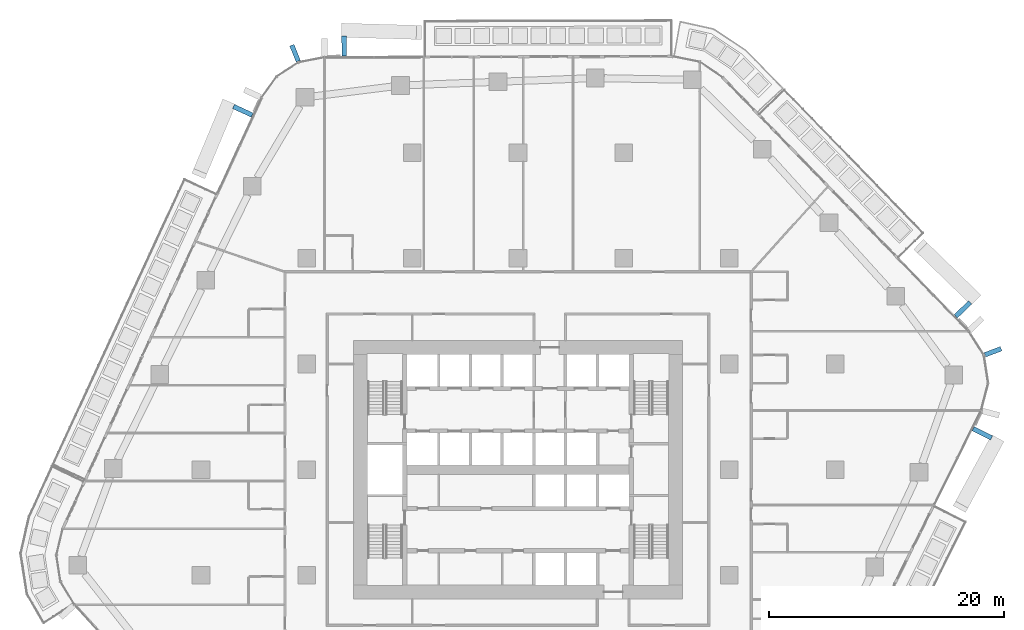
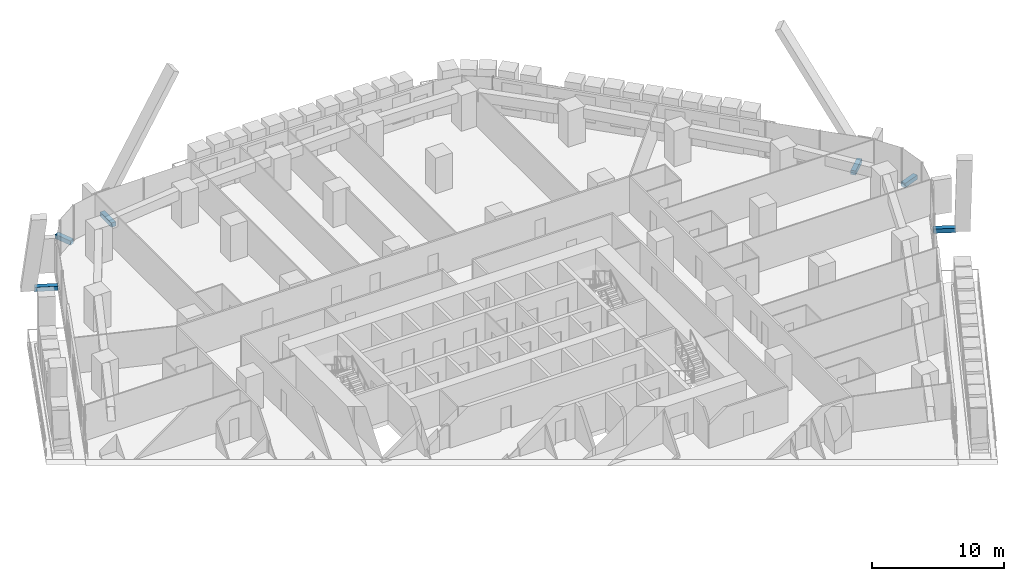
# One storey, part 20 of 27: 6 discrete accessories.
"""IFC4 building model written with IfcOpenShell, lengths in metres."""

import ifcopenshell
import ifcopenshell.guid

model = None  # the IFC model being written
_history = None  # IfcOwnerHistory: only IFC2X3 demands one
_inside = {}  # id of a spatial element -> (the spatial element, [elements in it])
_under = {}  # id of a project, library or spatial element -> (it, [spatial elements below it])
_declared = {}  # id of a project -> (the project, [libraries it declares])
_typed = {}  # id of a type object -> (the type object, [elements of that type])
_made_of = {}  # id of a material, layer set ... -> (it, [elements and type objects made of it])


def new_model(schema):
    """Start an empty IFC model of exactly this schema.

    Asked for "IFC4X3", IfcOpenShell would pick the latest addendum, in which some entities
    have other attributes; the version numbers below select the first issue.
    IFC2X3 requires an IfcOwnerHistory on every rooted entity: one is made here for all.
    """
    global model, _history
    if schema == "IFC4X3":
        model = ifcopenshell.file(schema_version=(4, 3, 0, 0))
    else:
        model = ifcopenshell.file(schema=schema)
    _inside.clear()
    _under.clear()
    _declared.clear()
    _typed.clear()
    _made_of.clear()
    _history = None
    if model.schema == "IFC2X3":
        org = make("IfcOrganization", Name="unknown")
        user = make(
            "IfcPersonAndOrganization",
            ThePerson=make("IfcPerson", FamilyName="unknown"),
            TheOrganization=org,
        )
        app = make(
            "IfcApplication",
            ApplicationDeveloper=org,
            Version="unknown",
            ApplicationFullName="unknown",
            ApplicationIdentifier="unknown",
        )
        _history = make(
            "IfcOwnerHistory",
            OwningUser=user,
            OwningApplication=app,
            ChangeAction="ADDED",
            CreationDate=0,
        )
    return model


def make(cls, **values):
    """One entity of the class cls with the attributes given. An attribute that is None is left unset."""
    return model.create_entity(
        cls, **{name: value for name, value in values.items() if value is not None}
    )


def rooted(cls, **values):
    """An entity with a GlobalId (a new one), such as an element, a storey or a relation."""
    return make(cls, GlobalId=ifcopenshell.guid.new(), OwnerHistory=_history, **values)


def si_unit(unit_type, name, prefix=None):
    """IfcSIUnit, for example si_unit("LENGTHUNIT", "METRE", prefix="MILLI")."""
    return make("IfcSIUnit", UnitType=unit_type, Prefix=prefix, Name=name)


def assignment(units):
    """IfcUnitAssignment: the units of a project."""
    return None if units is None else make("IfcUnitAssignment", Units=units)


def point(xyz):
    """IfcCartesianPoint."""
    return None if xyz is None else make("IfcCartesianPoint", Coordinates=xyz)


def direction(xyz):
    """IfcDirection."""
    return None if xyz is None else make("IfcDirection", DirectionRatios=xyz)


def frame(location, z_axis=None, x_axis=None):
    """IfcAxis2Placement3D, a coordinate frame: its origin and axes. An axis left out is left unset."""
    return make(
        "IfcAxis2Placement3D",
        Location=point(location),
        Axis=direction(z_axis),
        RefDirection=direction(x_axis),
    )


def frame_2d(location, x_axis=None):
    """IfcAxis2Placement2D, a coordinate frame in the plane: its origin and x axis."""
    return make(
        "IfcAxis2Placement2D", Location=point(location), RefDirection=direction(x_axis)
    )


def origin():
    """The frame at (0, 0, 0) with its axes left unset."""
    return frame((0.0, 0.0, 0.0))


def origin_2d():
    """The frame at (0, 0) in the plane with its x axis left unset."""
    return frame_2d((0.0, 0.0))


def place(relative_to, where):
    """IfcLocalPlacement: puts the frame where relative to a parent placement (None: the world)."""
    return make(
        "IfcLocalPlacement", PlacementRelTo=relative_to, RelativePlacement=where
    )


def context(
    kind, dimensions, precision=None, world=None, true_north=None, identifier=None
):
    """IfcGeometricRepresentationContext, for example the 3D "Model" context."""
    return make(
        "IfcGeometricRepresentationContext",
        ContextIdentifier=identifier,
        ContextType=kind,
        CoordinateSpaceDimension=dimensions,
        Precision=precision,
        WorldCoordinateSystem=world,
        TrueNorth=true_north,
    )


def subcontext(parent, identifier, kind, view, scale=None):
    """IfcGeometricRepresentationSubContext, for example "Body" below "Model"."""
    return make(
        "IfcGeometricRepresentationSubContext",
        ContextIdentifier=identifier,
        ContextType=kind,
        ParentContext=parent,
        TargetScale=scale,
        TargetView=view,
    )


def project(units=None, contexts=None):
    """IfcProject with its units and contexts."""
    return rooted(
        "IfcProject",
        Name="project",
        RepresentationContexts=contexts,
        UnitsInContext=assignment(units),
    )


def spatial(cls, under=None, at=None, **own):
    """A site, building, storey or space (cls), placed at a placement, below another one or the project."""
    s = rooted(cls, ObjectPlacement=at, **own)
    if under is not None:
        _under.setdefault(under.id(), (under, []))[1].append(s)
    return s


def profile(cls, at=None, kind="AREA", **sizes):
    """A parametric profile (cls). Its sizes go by their IFC names, for example OverallWidth=200.0."""
    return make(cls, ProfileType=kind, Position=at, **sizes)


def rectangle(**sizes):
    """IfcRectangleProfileDef."""
    return profile("IfcRectangleProfileDef", **sizes)


def extrude(swept, where, along, depth):
    """IfcExtrudedAreaSolid: the profile swept, set in the frame where, extruded along a direction by depth."""
    return make(
        "IfcExtrudedAreaSolid",
        SweptArea=swept,
        Position=where,
        ExtrudedDirection=direction(along),
        Depth=depth,
    )


def shape(context_of_items, identifier, shape_type, items):
    """IfcShapeRepresentation: the items that make up one representation, for example the "Body"."""
    return make(
        "IfcShapeRepresentation",
        ContextOfItems=context_of_items,
        RepresentationIdentifier=identifier,
        RepresentationType=shape_type,
        Items=items,
    )


def material(Name=None, Category=None):
    """IfcMaterial."""
    return make("IfcMaterial", Name=Name, Category=Category)


def made_of(thing, what):
    """Note that an element or type object is made of a material, layer set ...; save() writes the relation."""
    if what is not None:
        _made_of.setdefault(what.id(), (what, []))[1].append(thing)
    return thing


def type_object(cls, material=None, **own):
    """A type object (cls), such as IfcWallType, which elements share."""
    return made_of(rooted(cls, **own), material)


def element(
    cls,
    number,
    at=None,
    inside=None,
    cuts=None,
    type_object=None,
    material=None,
    context=None,
    identifier="Body",
    shape_type=None,
    held_by="IfcProductDefinitionShape",
    body=None,
    shapes=None,
    **own,
):
    """One element of the class cls, such as IfcWall. Its Tag is "e" and its number.

    at: its placement. inside: the storey or other place that contains it. cuts: it is an
    opening in that element (IfcRelVoidsElement). A single representation is given by context,
    identifier, shape_type and body (its items); several are given by shapes. held_by: the class
    of the entity that holds the representations. save() writes the other relations.
    """
    e = rooted(cls, Tag="e%d" % number, ObjectPlacement=at, **own)
    if body is not None:
        shapes = [shape(context, identifier, shape_type, body)]
    if shapes is not None:
        e.Representation = make(held_by, Representations=shapes)
    if inside is not None:
        _inside.setdefault(inside.id(), (inside, []))[1].append(e)
    if cuts is not None:
        rooted(
            "IfcRelVoidsElement", RelatingBuildingElement=cuts, RelatedOpeningElement=e
        )
    if type_object is not None:
        _typed.setdefault(type_object.id(), (type_object, []))[1].append(e)
    return made_of(e, material)


def aggregate(whole, parts):
    """IfcRelAggregates: a whole, such as a stair, and the parts it consists of."""
    return rooted("IfcRelAggregates", RelatingObject=whole, RelatedObjects=parts)


def save(model, path):
    """Write the relations noted so far, then the file.

    IfcRelAggregates (storeys below a building ...), IfcRelContainedInSpatialStructure (elements
    in a storey), IfcRelDefinesByType, IfcRelAssociatesMaterial and IfcRelDeclares: one each for
    every whole, place, type object, material and project.
    """
    for whole, parts in _under.values():
        aggregate(whole, parts)
    for where, things in _inside.values():
        rooted(
            "IfcRelContainedInSpatialStructure",
            RelatedElements=things,
            RelatingStructure=where,
        )
    for kind, things in _typed.values():
        rooted("IfcRelDefinesByType", RelatedObjects=things, RelatingType=kind)
    for what, things in _made_of.values():
        rooted("IfcRelAssociatesMaterial", RelatedObjects=things, RelatingMaterial=what)
    for by, libraries in _declared.values():
        rooted("IfcRelDeclares", RelatingContext=by, RelatedDefinitions=libraries)
    model.write(path)


model = new_model("IFC4")

# Units and contexts
model_context = context("Model", 3, precision=1e-05, world=origin(), true_north=direction((0.0, 1.0)))
body_context = subcontext(model_context, "Body", "Model", "MODEL_VIEW")
ifc_project = project(units=[si_unit("LENGTHUNIT", "METRE"), si_unit("AREAUNIT", "SQUARE_METRE"), si_unit("VOLUMEUNIT", "CUBIC_METRE"), si_unit("PLANEANGLEUNIT", "RADIAN"), si_unit("MASSUNIT", "GRAM", prefix="KILO")], contexts=[model_context])

# Site, building, storey
site_placement = place(None, origin())
site = spatial("IfcSite", under=ifc_project, at=site_placement, CompositionType="ELEMENT")
building_placement = place(site_placement, origin())
building = spatial("IfcBuilding", under=site, at=building_placement, Name="Dongbaek Canopy Tower", CompositionType="ELEMENT")
storey_placement = place(building_placement, frame((0.0, 0.0, 62.5)))
storey = spatial("IfcBuildingStorey", under=building, at=storey_placement, Name="L11", CompositionType="ELEMENT", Elevation=62.5)

# Discrete accessories
ifc_material = material(Name="Galvanised steel S355 bracket", Category="steel")
discrete_accessory_type = type_object("IfcDiscreteAccessoryType", Name="Crease fin bracket BR3 400", PredefinedType="BRACKET", material=ifc_material)
discrete_accessory_1_placement = place(storey_placement, frame((39.53955078125, 3.1005859375, -0.39990234375), z_axis=(0.0, 0.0, 1.0), x_axis=(0.895193538217, -0.445677606724, 0.0)))
element("IfcDiscreteAccessory", 1, at=discrete_accessory_1_placement, inside=storey, type_object=discrete_accessory_type, Name="Crease fin bracket L11 F5", PredefinedType="BRACKET", context=body_context, shape_type="SweptSolid", body=[
    extrude(rectangle(XDim=1.742431640625, YDim=0.39990234375, at=origin_2d()), origin(), (0.0, 0.0, 1.0), 0.39990234375),
])
discrete_accessory_2_placement = place(storey_placement, frame((37.88916015625, 13.65771484375, -0.39990234375), z_axis=(0.0, 0.0, 1.0), x_axis=(0.718003612313, 0.696039375829, 0.0)))
element("IfcDiscreteAccessory", 2, at=discrete_accessory_2_placement, inside=storey, type_object=discrete_accessory_type, Name="Crease fin bracket L11 F0", PredefinedType="BRACKET", context=body_context, shape_type="SweptSolid", body=[
    extrude(rectangle(XDim=1.713623046875, YDim=0.39990234375, at=origin_2d()), origin(), (0.0, 0.0, 1.0), 0.39990234375),
])
discrete_accessory_3_placement = place(storey_placement, frame((-14.810546875, 36.07763671875, -0.39990234375), z_axis=(0.0, 0.0, 1.0), x_axis=(-0.002665114613, 0.999996448576, 0.0)))
element("IfcDiscreteAccessory", 3, at=discrete_accessory_3_placement, inside=storey, type_object=discrete_accessory_type, Name="Crease fin bracket L11 F1", PredefinedType="BRACKET", context=body_context, shape_type="SweptSolid", body=[
    extrude(rectangle(XDim=1.718994140625, YDim=0.39990234375, at=origin_2d()), origin(), (0.0, 0.0, 1.0), 0.39990234375),
])
discrete_accessory_4_placement = place(storey_placement, frame((-23.4326171875, 30.56201171875, -0.39990234375), z_axis=(0.0, 0.0, 1.0), x_axis=(-0.908073013966, 0.418811892509, 0.0)))
element("IfcDiscreteAccessory", 4, at=discrete_accessory_4_placement, inside=storey, type_object=discrete_accessory_type, Name="Crease fin bracket L11 F2", PredefinedType="BRACKET", context=body_context, shape_type="SweptSolid", body=[
    extrude(rectangle(XDim=1.757080078125, YDim=0.39990234375, at=origin_2d()), origin(), (0.0, 0.0, 1.0), 0.39990234375),
])
for number, where, z_axis, x_axis, name in (
    (5, (40.445556640625, 10.04150390625, -0.39990234375), (0.0, 0.0, 1.0), (0.936154683811, 0.351588407059, 0.0), "Corner fin bracket L11 K0"),
    (6, (-18.986328125, 35.46484375, -0.39990234375), (0.0, 0.0, 1.0), (-0.372155271406, 0.928170487553, 0.0), "Corner fin bracket L11 K2"),
):
    element("IfcDiscreteAccessory", number, at=place(storey_placement, frame(where, z_axis=z_axis, x_axis=x_axis)), inside=storey, type_object=discrete_accessory_type, Name=name, PredefinedType="BRACKET", context=body_context, shape_type="SweptSolid", body=[
        extrude(rectangle(XDim=1.469970703125, YDim=0.39990234375, at=origin_2d()), origin(), (0.0, 0.0, 1.0), 0.39990234375),
    ])

save(model, "model.ifc")
